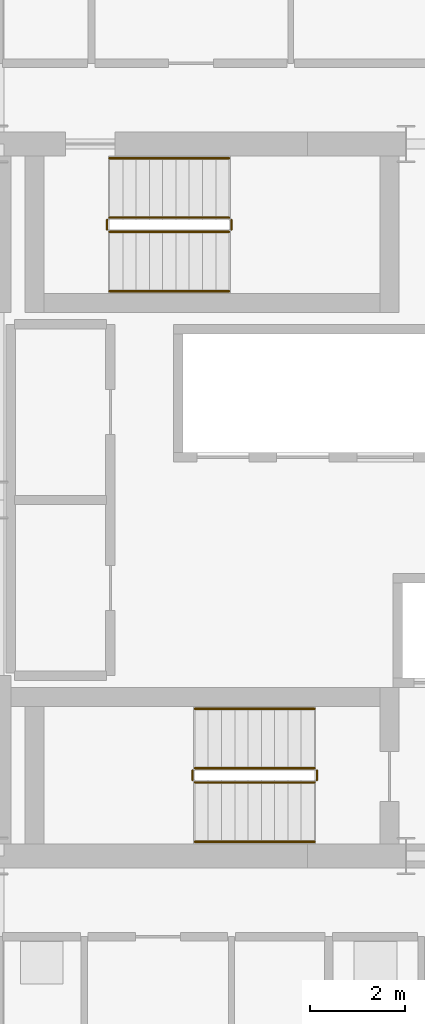
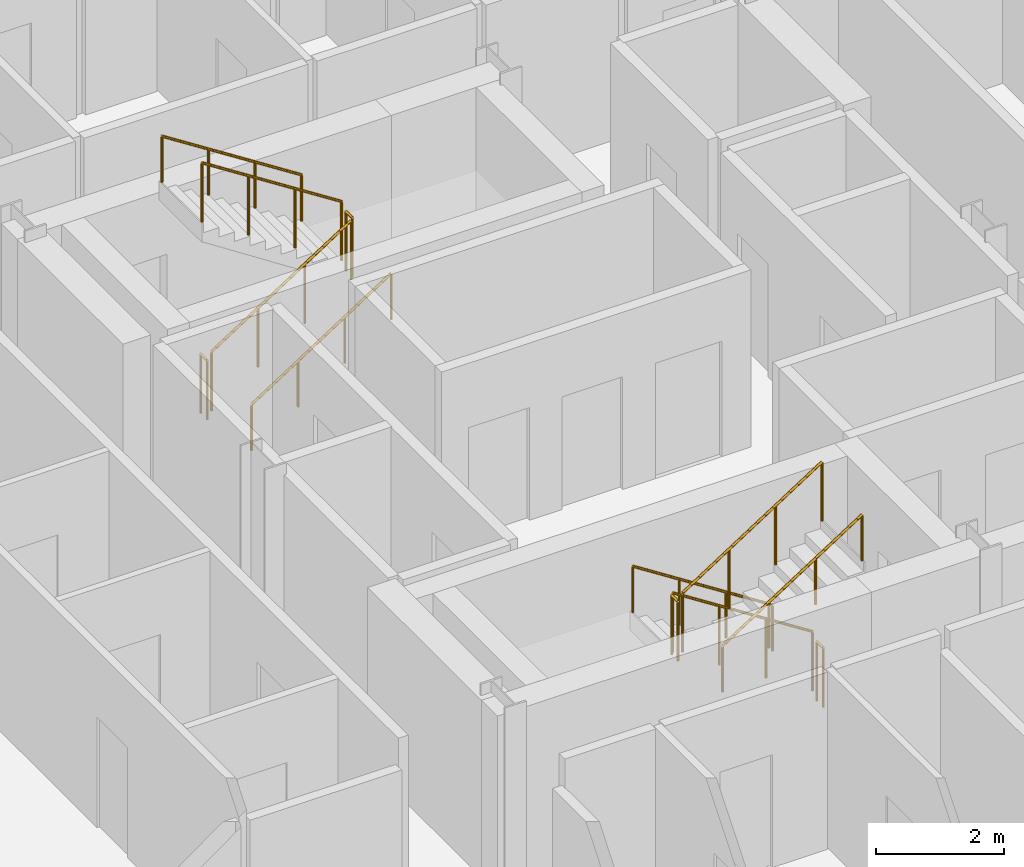
# One storey, part 24 of 25: 12 railings.
"""IFC4 building model written with IfcOpenShell, lengths in metres."""

from ifc_helpers import new_model, si_unit, direction, frame, origin, origin_2d, place, context, subcontext, project, spatial, circle, extrude, material, type_object, element, save


model = new_model("IFC4")

# Units and contexts
model_context = context("Model", 3, precision=1e-05, world=origin(), true_north=direction((0.0, 1.0)))
body_context = subcontext(model_context, "Body", "Model", "MODEL_VIEW")
ifc_project = project(units=[si_unit("LENGTHUNIT", "METRE"), si_unit("AREAUNIT", "SQUARE_METRE"), si_unit("VOLUMEUNIT", "CUBIC_METRE"), si_unit("PLANEANGLEUNIT", "RADIAN"), si_unit("MASSUNIT", "GRAM", prefix="KILO")], contexts=[model_context])

# Site, building, storey
site_placement = place(None, origin())
site = spatial("IfcSite", under=ifc_project, at=site_placement, CompositionType="ELEMENT")
building_placement = place(site_placement, origin())
building = spatial("IfcBuilding", under=site, at=building_placement, Name="Barlavira Tower and Art Museum", CompositionType="ELEMENT")
storey_placement = place(building_placement, frame((0.0, 0.0, 229.5)))
storey = spatial("IfcBuildingStorey", under=building, at=storey_placement, Name="L59", CompositionType="ELEMENT", Elevation=229.5)

# Railings
ifc_material = material(Name="Brushed stainless steel", Category="steel")
railing_type_1 = type_object("IfcRailingType", Name="Interior Void and Landing Guard Railing 1150", PredefinedType="GUARDRAIL", material=ifc_material)
railing_1_placement = place(storey_placement, frame((0.14990234375, -5.64990234375, 0.179931640625)))
element("IfcRailing", 1, at=railing_1_placement, inside=storey, type_object=railing_type_1, Name="L59 ST-T1 stair guard 1", PredefinedType="GUARDRAIL", context=body_context, shape_type="SweptSolid", body=[
    extrude(circle(Radius=0.02392578125, at=origin_2d()), frame((0.0, 0.0, 1.1259765625), z_axis=(-0.841162588446, 0.0, 0.540782303519), x_axis=(0.0, -1.0, 0.0)), (0.0, 0.0, 1.0), 2.995849609375),
    extrude(circle(Radius=0.02099609375, at=origin_2d()), origin(), (0.0, 0.0, 1.0), 1.101806640625),
    extrude(circle(Radius=0.02099609375, at=origin_2d()), frame((-0.840087890625, 0.0, 0.5400390625)), (0.0, 0.0, 1.0), 1.101806640625),
    extrude(circle(Radius=0.02099609375, at=origin_2d()), frame((-1.679931640625, 0.0, 1.080078125)), (0.0, 0.0, 1.0), 1.101806640625),
    extrude(circle(Radius=0.02099609375, at=origin_2d()), frame((-2.52001953125, 0.0, 1.6201171875)), (0.0, 0.0, 1.0), 1.101806640625),
])
railing_2_placement = place(storey_placement, frame((-2.419921875, -5.699951171875, 1.800048828125)))
element("IfcRailing", 2, at=railing_2_placement, inside=storey, type_object=railing_type_1, Name="L59 ST-T1 stair guard 2", PredefinedType="GUARDRAIL", context=body_context, shape_type="SweptSolid", body=[
    extrude(circle(Radius=0.02392578125, at=origin_2d()), frame((0.0, 0.0, 1.1259765625), z_axis=(0.0, -1.0, 0.0), x_axis=(1.0, 0.0, 0.0)), (0.0, 0.0, 1.0), 0.199951171875),
    extrude(circle(Radius=0.02099609375, at=origin_2d()), origin(), (0.0, 0.0, 1.0), 1.101806640625),
    extrude(circle(Radius=0.02099609375, at=origin_2d()), frame((0.0, -0.199951171875, 0.0)), (0.0, 0.0, 1.0), 1.101806640625),
])
railing_3_placement = place(storey_placement, frame((-2.3701171875, -5.949951171875, 1.97998046875)))
element("IfcRailing", 3, at=railing_3_placement, inside=storey, type_object=railing_type_1, Name="L59 ST-T1 stair guard 3", PredefinedType="GUARDRAIL", context=body_context, shape_type="SweptSolid", body=[
    extrude(circle(Radius=0.02392578125, at=origin_2d()), frame((0.0, 0.0, 1.1259765625), z_axis=(0.841162588446, 0.0, 0.540782303519), x_axis=(0.0, 1.0, 0.0)), (0.0, 0.0, 1.0), 2.995849609375),
    extrude(circle(Radius=0.02099609375, at=origin_2d()), origin(), (0.0, 0.0, 1.0), 1.101806640625),
    extrude(circle(Radius=0.02099609375, at=origin_2d()), frame((0.840087890625, 0.0, 0.5400390625)), (0.0, 0.0, 1.0), 1.101806640625),
    extrude(circle(Radius=0.02099609375, at=origin_2d()), frame((1.679931640625, 0.0, 1.080078125)), (0.0, 0.0, 1.0), 1.101806640625),
    extrude(circle(Radius=0.02099609375, at=origin_2d()), frame((2.52001953125, 0.0, 1.6201171875)), (0.0, 0.0, 1.0), 1.101806640625),
])
railing_4_placement = place(storey_placement, frame((0.199951171875, -5.699951171875, 0.0)))
element("IfcRailing", 4, at=railing_4_placement, inside=storey, type_object=railing_type_1, Name="L59 ST-T1 stair guard 4", PredefinedType="GUARDRAIL", context=body_context, shape_type="SweptSolid", body=[
    extrude(circle(Radius=0.02392578125, at=origin_2d()), frame((0.0, 0.0, 1.1259765625), z_axis=(0.0, -1.0, 0.0), x_axis=(1.0, 0.0, 0.0)), (0.0, 0.0, 1.0), 0.199951171875),
    extrude(circle(Radius=0.02099609375, at=origin_2d()), origin(), (0.0, 0.0, 1.0), 1.101806640625),
    extrude(circle(Radius=0.02099609375, at=origin_2d()), frame((0.0, -0.199951171875, 0.0)), (0.0, 0.0, 1.0), 1.101806640625),
])
railing_5_placement = place(storey_placement, frame((-4.169921875, 5.64990234375, 0.179931640625)))
element("IfcRailing", 5, at=railing_5_placement, inside=storey, type_object=railing_type_1, Name="L59 ST-T2 stair guard 1", PredefinedType="GUARDRAIL", context=body_context, shape_type="SweptSolid", body=[
    extrude(circle(Radius=0.02392578125, at=origin_2d()), frame((0.0, 0.0, 1.1259765625), z_axis=(0.841162588446, 0.0, 0.540782303519), x_axis=(0.0, 1.0, 0.0)), (0.0, 0.0, 1.0), 2.995849609375),
    extrude(circle(Radius=0.02099609375, at=origin_2d()), origin(), (0.0, 0.0, 1.0), 1.101806640625),
    extrude(circle(Radius=0.02099609375, at=origin_2d()), frame((0.840087890625, 0.0, 0.5400390625)), (0.0, 0.0, 1.0), 1.101806640625),
    extrude(circle(Radius=0.02099609375, at=origin_2d()), frame((1.679931640625, 0.0, 1.080078125)), (0.0, 0.0, 1.0), 1.101806640625),
    extrude(circle(Radius=0.02099609375, at=origin_2d()), frame((2.52001953125, 0.0, 1.6201171875)), (0.0, 0.0, 1.0), 1.101806640625),
])
railing_6_placement = place(storey_placement, frame((-1.60009765625, 5.699951171875, 1.800048828125)))
element("IfcRailing", 6, at=railing_6_placement, inside=storey, type_object=railing_type_1, Name="L59 ST-T2 stair guard 2", PredefinedType="GUARDRAIL", context=body_context, shape_type="SweptSolid", body=[
    extrude(circle(Radius=0.02392578125, at=origin_2d()), frame((0.0, 0.0, 1.1259765625), z_axis=(0.0, 1.0, 0.0), x_axis=(-1.0, 0.0, 0.0)), (0.0, 0.0, 1.0), 0.199951171875),
    extrude(circle(Radius=0.02099609375, at=origin_2d()), origin(), (0.0, 0.0, 1.0), 1.101806640625),
    extrude(circle(Radius=0.02099609375, at=origin_2d()), frame((0.0, 0.199951171875, 0.0)), (0.0, 0.0, 1.0), 1.101806640625),
])
railing_7_placement = place(storey_placement, frame((-1.64990234375, 5.949951171875, 1.97998046875)))
element("IfcRailing", 7, at=railing_7_placement, inside=storey, type_object=railing_type_1, Name="L59 ST-T2 stair guard 3", PredefinedType="GUARDRAIL", context=body_context, shape_type="SweptSolid", body=[
    extrude(circle(Radius=0.02392578125, at=origin_2d()), frame((0.0, 0.0, 1.1259765625), z_axis=(-0.841162588446, 0.0, 0.540782303519), x_axis=(0.0, -1.0, 0.0)), (0.0, 0.0, 1.0), 2.995849609375),
    extrude(circle(Radius=0.02099609375, at=origin_2d()), origin(), (0.0, 0.0, 1.0), 1.101806640625),
    extrude(circle(Radius=0.02099609375, at=origin_2d()), frame((-0.840087890625, 0.0, 0.5400390625)), (0.0, 0.0, 1.0), 1.101806640625),
    extrude(circle(Radius=0.02099609375, at=origin_2d()), frame((-1.679931640625, 0.0, 1.080078125)), (0.0, 0.0, 1.0), 1.101806640625),
    extrude(circle(Radius=0.02099609375, at=origin_2d()), frame((-2.52001953125, 0.0, 1.6201171875)), (0.0, 0.0, 1.0), 1.101806640625),
])
railing_8_placement = place(storey_placement, frame((-4.219970703125, 5.699951171875, 0.0)))
element("IfcRailing", 8, at=railing_8_placement, inside=storey, type_object=railing_type_1, Name="L59 ST-T2 stair guard 4", PredefinedType="GUARDRAIL", context=body_context, shape_type="SweptSolid", body=[
    extrude(circle(Radius=0.02392578125, at=origin_2d()), frame((0.0, 0.0, 1.1259765625), z_axis=(0.0, 1.0, 0.0), x_axis=(-1.0, 0.0, 0.0)), (0.0, 0.0, 1.0), 0.199951171875),
    extrude(circle(Radius=0.02099609375, at=origin_2d()), origin(), (0.0, 0.0, 1.0), 1.101806640625),
    extrude(circle(Radius=0.02099609375, at=origin_2d()), frame((0.0, 0.199951171875, 0.0)), (0.0, 0.0, 1.0), 1.101806640625),
])
railing_type_2 = type_object("IfcRailingType", Name="Stair Pitch Tubular Steel Handrail 920", PredefinedType="HANDRAIL", material=ifc_material)
railing_9_placement = place(storey_placement, frame((0.14990234375, -4.39990234375, 0.179931640625)))
element("IfcRailing", 9, at=railing_9_placement, inside=storey, type_object=railing_type_2, Name="L59 ST-T1 stair handrail 1", PredefinedType="HANDRAIL", context=body_context, shape_type="SweptSolid", body=[
    extrude(circle(Radius=0.02392578125, at=origin_2d()), frame((0.0, 0.0, 0.8759765625), z_axis=(-0.841162588446, 0.0, 0.540782303519), x_axis=(0.0, -1.0, 0.0)), (0.0, 0.0, 1.0), 2.995849609375),
    extrude(circle(Radius=0.02099609375, at=origin_2d()), origin(), (0.0, 0.0, 1.0), 0.851806640625),
    extrude(circle(Radius=0.02099609375, at=origin_2d()), frame((-0.840087890625, 0.0, 0.5400390625)), (0.0, 0.0, 1.0), 0.851806640625),
    extrude(circle(Radius=0.02099609375, at=origin_2d()), frame((-1.679931640625, 0.0, 1.080078125)), (0.0, 0.0, 1.0), 0.851806640625),
    extrude(circle(Radius=0.02099609375, at=origin_2d()), frame((-2.52001953125, 0.0, 1.6201171875)), (0.0, 0.0, 1.0), 0.851806640625),
])
for number, where, name in (
    (10, (-2.3701171875, -7.199951171875, 1.97998046875), "L59 ST-T1 stair handrail 2"),
    (11, (-4.169921875, 4.39990234375, 0.179931640625), "L59 ST-T2 stair handrail 1"),
):
    element("IfcRailing", number, at=place(storey_placement, frame(where)), inside=storey, type_object=railing_type_2, Name=name, PredefinedType="HANDRAIL", context=body_context, shape_type="SweptSolid", body=[
        extrude(circle(Radius=0.02392578125, at=origin_2d()), frame((0.0, 0.0, 0.8759765625), z_axis=(0.841162588446, 0.0, 0.540782303519), x_axis=(0.0, 1.0, 0.0)), (0.0, 0.0, 1.0), 2.995849609375),
        extrude(circle(Radius=0.02099609375, at=origin_2d()), origin(), (0.0, 0.0, 1.0), 0.851806640625),
        extrude(circle(Radius=0.02099609375, at=origin_2d()), frame((0.840087890625, 0.0, 0.5400390625)), (0.0, 0.0, 1.0), 0.851806640625),
        extrude(circle(Radius=0.02099609375, at=origin_2d()), frame((1.679931640625, 0.0, 1.080078125)), (0.0, 0.0, 1.0), 0.851806640625),
        extrude(circle(Radius=0.02099609375, at=origin_2d()), frame((2.52001953125, 0.0, 1.6201171875)), (0.0, 0.0, 1.0), 0.851806640625),
    ])
railing_10_placement = place(storey_placement, frame((-1.64990234375, 7.199951171875, 1.97998046875)))
element("IfcRailing", 12, at=railing_10_placement, inside=storey, type_object=railing_type_2, Name="L59 ST-T2 stair handrail 2", PredefinedType="HANDRAIL", context=body_context, shape_type="SweptSolid", body=[
    extrude(circle(Radius=0.02392578125, at=origin_2d()), frame((0.0, 0.0, 0.8759765625), z_axis=(-0.841162588446, 0.0, 0.540782303519), x_axis=(0.0, -1.0, 0.0)), (0.0, 0.0, 1.0), 2.995849609375),
    extrude(circle(Radius=0.02099609375, at=origin_2d()), origin(), (0.0, 0.0, 1.0), 0.851806640625),
    extrude(circle(Radius=0.02099609375, at=origin_2d()), frame((-0.840087890625, 0.0, 0.5400390625)), (0.0, 0.0, 1.0), 0.851806640625),
    extrude(circle(Radius=0.02099609375, at=origin_2d()), frame((-1.679931640625, 0.0, 1.080078125)), (0.0, 0.0, 1.0), 0.851806640625),
    extrude(circle(Radius=0.02099609375, at=origin_2d()), frame((-2.52001953125, 0.0, 1.6201171875)), (0.0, 0.0, 1.0), 0.851806640625),
])

save(model, "model.ifc")
